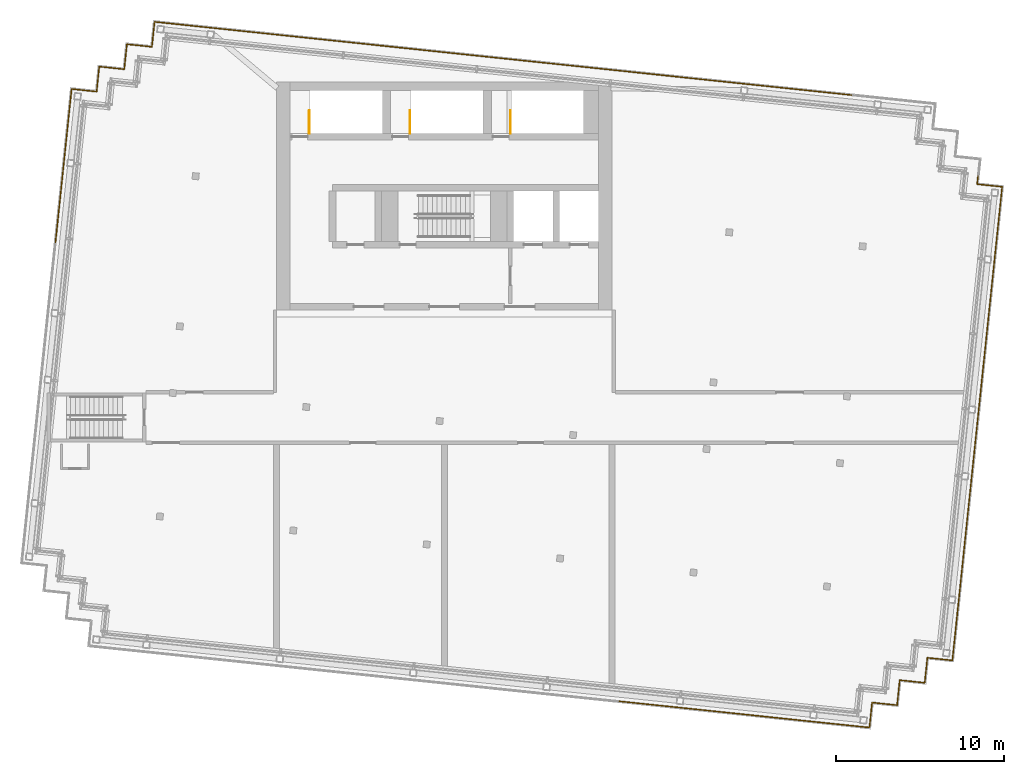
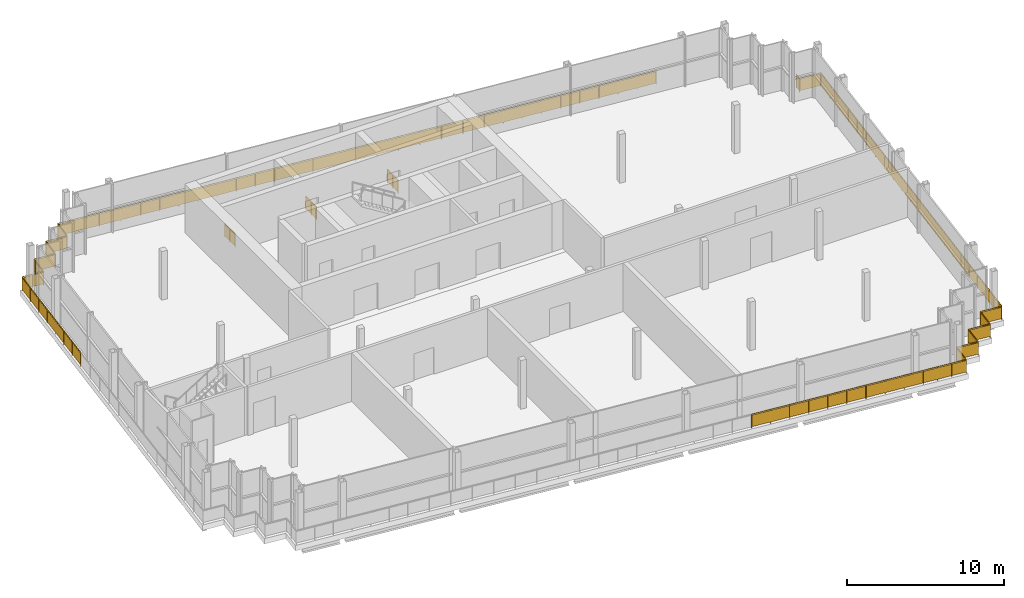
# One storey, part 12 of 13: 13 railings.
"""IFC4 building model written with IfcOpenShell, lengths in metres."""

from ifc_helpers import new_model, si_unit, direction, frame, origin, origin_2d, place, context, subcontext, project, spatial, rectangle, circle, extrude, material, type_object, element, save


model = new_model("IFC4")

# Units and contexts
model_context = context("Model", 3, precision=1e-05, world=origin(), true_north=direction((0.0, 1.0)))
body_context = subcontext(model_context, "Body", "Model", "MODEL_VIEW")
ifc_project = project(units=[si_unit("LENGTHUNIT", "METRE"), si_unit("AREAUNIT", "SQUARE_METRE"), si_unit("VOLUMEUNIT", "CUBIC_METRE"), si_unit("PLANEANGLEUNIT", "RADIAN"), si_unit("MASSUNIT", "GRAM", prefix="KILO")], contexts=[model_context])

# Site, building, storey
site_placement = place(None, origin())
site = spatial("IfcSite", under=ifc_project, at=site_placement, CompositionType="ELEMENT")
building_placement = place(site_placement, origin())
building = spatial("IfcBuilding", under=site, at=building_placement, Name="Vidyagriha Tower", CompositionType="ELEMENT")
storey_placement = place(building_placement, frame((0.0, 0.0, 309.199951171875)))
storey = spatial("IfcBuildingStorey", under=building, at=storey_placement, Name="L79", CompositionType="ELEMENT", Elevation=309.199951171875)

# Railings
ifc_material_1 = material(Name="Steel ASTM A500 Grade C black painted", Category="steel")
railing_type_1 = type_object("IfcRailingType", Name="Gallery guard 1100", PredefinedType="GUARDRAIL", material=ifc_material_1)
railing_1_placement = place(storey_placement, frame((30.297607421875, -14.485595703125, 0.0)))
element("IfcRailing", 1, at=railing_1_placement, inside=storey, type_object=railing_type_1, Name="Gallery guard L79 1", PredefinedType="GUARDRAIL", context=body_context, shape_type="SweptSolid", body=[
    extrude(circle(Radius=0.02490234375, at=origin_2d()), frame((0.0, 0.0, 1.0751953125), z_axis=(-0.994525057048, 0.104498377516, 0.0), x_axis=(-0.104498377516, -0.994525057048, 0.0)), (0.0, 0.0, 1.0), 1.5),
    extrude(circle(Radius=0.02490234375, at=origin_2d()), frame((-1.49169921875, 0.15673828125, 1.0751953125), z_axis=(-0.104498377516, -0.994525057048, 0.0), x_axis=(0.994525057048, -0.104498377516, 0.0)), (0.0, 0.0, 1.0), 1.5),
    extrude(circle(Radius=0.02490234375, at=origin_2d()), frame((-1.6484375, -1.3349609375, 1.0751953125), z_axis=(-0.994525057048, 0.104498377516, 0.0), x_axis=(-0.104498377516, -0.994525057048, 0.0)), (0.0, 0.0, 1.0), 1.5),
    extrude(circle(Radius=0.02490234375, at=origin_2d()), frame((-3.14013671875, -1.17822265625, 1.0751953125), z_axis=(-0.104659366031, -0.994508128223, 0.0), x_axis=(0.994508128223, -0.104659366031, 0.0)), (0.0, 0.0, 1.0), 1.5),
    extrude(circle(Radius=0.02490234375, at=origin_2d()), frame((-3.297119140625, -2.669921875, 1.0751953125), z_axis=(-0.994525057048, 0.104498377516, 0.0), x_axis=(-0.104498377516, -0.994525057048, 0.0)), (0.0, 0.0, 1.0), 1.5),
    extrude(circle(Radius=0.02490234375, at=origin_2d()), frame((-4.788818359375, -2.51318359375, 1.0751953125), z_axis=(-0.104498377516, -0.994525057048, 0.0), x_axis=(0.994525057048, -0.104498377516, 0.0)), (0.0, 0.0, 1.0), 1.5),
    extrude(circle(Radius=0.02490234375, at=origin_2d()), frame((-4.945556640625, -4.0048828125, 1.0751953125), z_axis=(-0.994525945657, 0.104489920156, 0.0), x_axis=(-0.104489920156, -0.994525945657, 0.0)), (0.0, 0.0, 1.0), 3.0),
    extrude(circle(Radius=0.02001953125, at=origin_2d()), origin(), (0.0, 0.0, 1.0), 1.050048828125),
    extrude(circle(Radius=0.02001953125, at=origin_2d()), frame((-1.49169921875, 0.15673828125, 0.0)), (0.0, 0.0, 1.0), 1.050048828125),
    extrude(circle(Radius=0.02001953125, at=origin_2d()), frame((-1.6484375, -1.3349609375, 0.0)), (0.0, 0.0, 1.0), 1.050048828125),
    extrude(circle(Radius=0.02001953125, at=origin_2d()), frame((-3.14013671875, -1.17822265625, 0.0)), (0.0, 0.0, 1.0), 1.050048828125),
    extrude(circle(Radius=0.02001953125, at=origin_2d()), frame((-3.297119140625, -2.669921875, 0.0)), (0.0, 0.0, 1.0), 1.050048828125),
    extrude(circle(Radius=0.02001953125, at=origin_2d()), frame((-4.788818359375, -2.51318359375, 0.0)), (0.0, 0.0, 1.0), 1.050048828125),
    extrude(circle(Radius=0.02001953125, at=origin_2d()), frame((-4.945556640625, -4.0048828125, 0.0)), (0.0, 0.0, 1.0), 1.050048828125),
    extrude(circle(Radius=0.02001953125, at=origin_2d()), frame((-5.940185546875, -3.900390625, 0.0)), (0.0, 0.0, 1.0), 1.050048828125),
    extrude(circle(Radius=0.02001953125, at=origin_2d()), frame((-6.9345703125, -3.7958984375, 0.0)), (0.0, 0.0, 1.0), 1.050048828125),
    extrude(circle(Radius=0.02001953125, at=origin_2d()), frame((-7.92919921875, -3.69140625, 0.0)), (0.0, 0.0, 1.0), 1.050048828125),
    extrude(rectangle(XDim=0.010009765625, YDim=0.900146484375, at=origin_2d()), frame((0.0, 0.0, 0.550048828125), z_axis=(-0.994525057048, 0.104498377516, 0.0), x_axis=(-0.104498377516, -0.994525057048, 0.0)), (0.0, 0.0, 1.0), 1.5),
    extrude(rectangle(XDim=0.010009765625, YDim=0.900146484375, at=origin_2d()), frame((-1.49169921875, 0.15673828125, 0.550048828125), z_axis=(-0.104498377516, -0.994525057048, 0.0), x_axis=(0.994525057048, -0.104498377516, 0.0)), (0.0, 0.0, 1.0), 1.5),
    extrude(rectangle(XDim=0.010009765625, YDim=0.900146484375, at=origin_2d()), frame((-1.6484375, -1.3349609375, 0.550048828125), z_axis=(-0.994525057048, 0.104498377516, 0.0), x_axis=(-0.104498377516, -0.994525057048, 0.0)), (0.0, 0.0, 1.0), 1.5),
    extrude(rectangle(XDim=0.010009765625, YDim=0.900146484375, at=origin_2d()), frame((-3.14013671875, -1.17822265625, 0.550048828125), z_axis=(-0.104659366031, -0.994508128223, 0.0), x_axis=(0.994508128223, -0.104659366031, 0.0)), (0.0, 0.0, 1.0), 1.5),
    extrude(rectangle(XDim=0.010009765625, YDim=0.900146484375, at=origin_2d()), frame((-3.297119140625, -2.669921875, 0.550048828125), z_axis=(-0.994525057048, 0.104498377516, 0.0), x_axis=(-0.104498377516, -0.994525057048, 0.0)), (0.0, 0.0, 1.0), 1.5),
    extrude(rectangle(XDim=0.010009765625, YDim=0.900146484375, at=origin_2d()), frame((-4.788818359375, -2.51318359375, 0.550048828125), z_axis=(-0.104498377516, -0.994525057048, 0.0), x_axis=(0.994525057048, -0.104498377516, 0.0)), (0.0, 0.0, 1.0), 1.5),
    extrude(rectangle(XDim=0.010009765625, YDim=0.900146484375, at=origin_2d()), frame((-4.945556640625, -4.0048828125, 0.550048828125), z_axis=(-0.994525945657, 0.104489920156, 0.0), x_axis=(-0.104489920156, -0.994525945657, 0.0)), (0.0, 0.0, 1.0), 3.0),
])
railing_2_placement = place(storey_placement, frame((22.368408203125, -18.177001953125, 0.0)))
element("IfcRailing", 2, at=railing_2_placement, inside=storey, type_object=railing_type_1, Name="Gallery guard L79 2", PredefinedType="GUARDRAIL", context=body_context, shape_type="SweptSolid", body=[
    extrude(circle(Radius=0.02490234375, at=origin_2d()), frame((0.0, 0.0, 1.0751953125), z_axis=(-0.994521494219, 0.104532279878, 0.0), x_axis=(-0.104532279878, -0.994521494219, 0.0)), (0.0, 0.0, 1.0), 12.0),
    extrude(circle(Radius=0.02001953125, at=origin_2d()), origin(), (0.0, 0.0, 1.0), 1.050048828125),
    extrude(circle(Radius=0.02001953125, at=origin_2d()), frame((-1.325927734375, 0.139404296875, 0.0)), (0.0, 0.0, 1.0), 1.050048828125),
    extrude(circle(Radius=0.02001953125, at=origin_2d()), frame((-2.652099609375, 0.27880859375, 0.0)), (0.0, 0.0, 1.0), 1.050048828125),
    extrude(circle(Radius=0.02001953125, at=origin_2d()), frame((-3.97802734375, 0.418212890625, 0.0)), (0.0, 0.0, 1.0), 1.050048828125),
    extrude(circle(Radius=0.02001953125, at=origin_2d()), frame((-5.30419921875, 0.5576171875, 0.0)), (0.0, 0.0, 1.0), 1.050048828125),
    extrude(circle(Radius=0.02001953125, at=origin_2d()), frame((-6.630126953125, 0.69677734375, 0.0)), (0.0, 0.0, 1.0), 1.050048828125),
    extrude(circle(Radius=0.02001953125, at=origin_2d()), frame((-7.956298828125, 0.836181640625, 0.0)), (0.0, 0.0, 1.0), 1.050048828125),
    extrude(circle(Radius=0.02001953125, at=origin_2d()), frame((-9.2822265625, 0.9755859375, 0.0)), (0.0, 0.0, 1.0), 1.050048828125),
    extrude(circle(Radius=0.02001953125, at=origin_2d()), frame((-10.6083984375, 1.114990234375, 0.0)), (0.0, 0.0, 1.0), 1.050048828125),
    extrude(circle(Radius=0.02001953125, at=origin_2d()), frame((-11.934326171875, 1.25439453125, 0.0)), (0.0, 0.0, 1.0), 1.050048828125),
    extrude(rectangle(XDim=0.010009765625, YDim=0.900146484375, at=origin_2d()), frame((0.0, 0.0, 0.550048828125), z_axis=(-0.994521494219, 0.104532279878, 0.0), x_axis=(-0.104532279878, -0.994521494219, 0.0)), (0.0, 0.0, 1.0), 12.0),
])
railing_3_placement = place(storey_placement, frame((-23.189697265625, 10.44189453125, 0.0)))
element("IfcRailing", 3, at=railing_3_placement, inside=storey, type_object=railing_type_1, Name="Gallery guard L79 8", PredefinedType="GUARDRAIL", context=body_context, shape_type="SweptSolid", body=[
    extrude(circle(Radius=0.02490234375, at=origin_2d()), frame((0.0, 0.0, 1.0751953125), z_axis=(0.104528688334, 0.994521871713, 0.0), x_axis=(-0.994521871713, 0.104528688334, 0.0)), (0.0, 0.0, 1.0), 9.199951171875),
    extrude(circle(Radius=0.02490234375, at=origin_2d()), frame((0.961669921875, 9.149658203125, 1.0751953125), z_axis=(0.994526834051, -0.104481464157, 0.0), x_axis=(0.104481464157, 0.994526834051, 0.0)), (0.0, 0.0, 1.0), 1.500244140625),
    extrude(circle(Radius=0.02490234375, at=origin_2d()), frame((2.45361328125, 8.992919921875, 1.0751953125), z_axis=(0.104411070641, 0.994534226826, 0.0), x_axis=(-0.994534226826, 0.104411070641, 0.0)), (0.0, 0.0, 1.0), 1.300048828125),
    extrude(circle(Radius=0.02001953125, at=origin_2d()), origin(), (0.0, 0.0, 1.0), 1.050048828125),
    extrude(circle(Radius=0.02001953125, at=origin_2d()), frame((0.137451171875, 1.30712890625, 0.0)), (0.0, 0.0, 1.0), 1.050048828125),
    extrude(circle(Radius=0.02001953125, at=origin_2d()), frame((0.274658203125, 2.6142578125, 0.0)), (0.0, 0.0, 1.0), 1.050048828125),
    extrude(circle(Radius=0.02001953125, at=origin_2d()), frame((0.412109375, 3.92138671875, 0.0)), (0.0, 0.0, 1.0), 1.050048828125),
    extrude(circle(Radius=0.02001953125, at=origin_2d()), frame((0.549560546875, 5.228271484375, 0.0)), (0.0, 0.0, 1.0), 1.050048828125),
    extrude(circle(Radius=0.02001953125, at=origin_2d()), frame((0.68701171875, 6.535400390625, 0.0)), (0.0, 0.0, 1.0), 1.050048828125),
    extrude(circle(Radius=0.02001953125, at=origin_2d()), frame((0.82421875, 7.842529296875, 0.0)), (0.0, 0.0, 1.0), 1.050048828125),
    extrude(circle(Radius=0.02001953125, at=origin_2d()), frame((0.961669921875, 9.149658203125, 0.0)), (0.0, 0.0, 1.0), 1.050048828125),
    extrude(circle(Radius=0.02001953125, at=origin_2d()), frame((1.70751953125, 9.0712890625, 0.0)), (0.0, 0.0, 1.0), 1.050048828125),
    extrude(circle(Radius=0.02001953125, at=origin_2d()), frame((2.45361328125, 8.992919921875, 0.0)), (0.0, 0.0, 1.0), 1.050048828125),
    extrude(circle(Radius=0.02001953125, at=origin_2d()), frame((2.58935546875, 10.285888671875, 0.0)), (0.0, 0.0, 1.0), 1.050048828125),
    extrude(rectangle(XDim=0.010009765625, YDim=0.900146484375, at=origin_2d()), frame((0.0, 0.0, 0.550048828125), z_axis=(0.104528688334, 0.994521871713, 0.0), x_axis=(-0.994521871713, 0.104528688334, 0.0)), (0.0, 0.0, 1.0), 9.199951171875),
    extrude(rectangle(XDim=0.010009765625, YDim=0.900146484375, at=origin_2d()), frame((0.961669921875, 9.149658203125, 0.550048828125), z_axis=(0.994526834051, -0.104481464157, 0.0), x_axis=(0.104481464157, 0.994526834051, 0.0)), (0.0, 0.0, 1.0), 1.500244140625),
    extrude(rectangle(XDim=0.010009765625, YDim=0.900146484375, at=origin_2d()), frame((2.45361328125, 8.992919921875, 0.550048828125), z_axis=(0.104411070641, 0.994534226826, 0.0), x_axis=(-0.994534226826, 0.104411070641, 0.0)), (0.0, 0.0, 1.0), 1.300048828125),
])
railing_4_placement = place(storey_placement, frame((-20.600341796875, 20.727783203125, 0.0)))
element("IfcRailing", 4, at=railing_4_placement, inside=storey, type_object=railing_type_1, Name="Gallery guard L79 9", PredefinedType="GUARDRAIL", context=body_context, shape_type="SweptSolid", body=[
    extrude(circle(Radius=0.02490234375, at=origin_2d()), frame((0.0, 0.0, 1.0751953125), z_axis=(0.10506634941, 0.994465214184, 0.0), x_axis=(-0.994465214184, 0.10506634941, 0.0)), (0.0, 0.0, 1.0), 0.199951171875),
    extrude(circle(Radius=0.02490234375, at=origin_2d()), frame((0.02099609375, 0.19873046875, 1.0751953125), z_axis=(0.994525057048, -0.104498377516, 0.0), x_axis=(0.104498377516, 0.994525057048, 0.0)), (0.0, 0.0, 1.0), 1.5),
    extrude(circle(Radius=0.02490234375, at=origin_2d()), frame((1.5126953125, 0.0419921875, 1.0751953125), z_axis=(0.104498377516, 0.994525057048, 0.0), x_axis=(-0.994525057048, 0.104498377516, 0.0)), (0.0, 0.0, 1.0), 1.5),
    extrude(circle(Radius=0.02490234375, at=origin_2d()), frame((1.66943359375, 1.53369140625, 1.0751953125), z_axis=(0.994525057048, -0.104498377516, 0.0), x_axis=(0.104498377516, 0.994525057048, 0.0)), (0.0, 0.0, 1.0), 1.5),
    extrude(circle(Radius=0.02490234375, at=origin_2d()), frame((3.1611328125, 1.376953125, 1.0751953125), z_axis=(0.104659366031, 0.994508128223, 0.0), x_axis=(-0.994508128223, 0.104659366031, 0.0)), (0.0, 0.0, 1.0), 1.5),
    extrude(circle(Radius=0.02490234375, at=origin_2d()), frame((3.318115234375, 2.86865234375, 1.0751953125), z_axis=(0.994523198252, -0.104516066418, 0.0), x_axis=(0.104516066418, 0.994523198252, 0.0)), (0.0, 0.0, 1.0), 5.800048828125),
    extrude(circle(Radius=0.02001953125, at=origin_2d()), origin(), (0.0, 0.0, 1.0), 1.050048828125),
    extrude(circle(Radius=0.02001953125, at=origin_2d()), frame((0.02099609375, 0.19873046875, 0.0)), (0.0, 0.0, 1.0), 1.050048828125),
    extrude(circle(Radius=0.02001953125, at=origin_2d()), frame((1.5126953125, 0.0419921875, 0.0)), (0.0, 0.0, 1.0), 1.050048828125),
    extrude(circle(Radius=0.02001953125, at=origin_2d()), frame((1.66943359375, 1.53369140625, 0.0)), (0.0, 0.0, 1.0), 1.050048828125),
    extrude(circle(Radius=0.02001953125, at=origin_2d()), frame((3.1611328125, 1.376953125, 0.0)), (0.0, 0.0, 1.0), 1.050048828125),
    extrude(circle(Radius=0.02001953125, at=origin_2d()), frame((3.318115234375, 2.86865234375, 0.0)), (0.0, 0.0, 1.0), 1.050048828125),
    extrude(circle(Radius=0.02001953125, at=origin_2d()), frame((4.76025390625, 2.717041015625, 0.0)), (0.0, 0.0, 1.0), 1.050048828125),
    extrude(circle(Radius=0.02001953125, at=origin_2d()), frame((6.2021484375, 2.5654296875, 0.0)), (0.0, 0.0, 1.0), 1.050048828125),
    extrude(circle(Radius=0.02001953125, at=origin_2d()), frame((7.644287109375, 2.4140625, 0.0)), (0.0, 0.0, 1.0), 1.050048828125),
    extrude(circle(Radius=0.02001953125, at=origin_2d()), frame((9.08642578125, 2.262451171875, 0.0)), (0.0, 0.0, 1.0), 1.050048828125),
    extrude(rectangle(XDim=0.010009765625, YDim=0.900146484375, at=origin_2d()), frame((0.0, 0.0, 0.550048828125), z_axis=(0.10506634941, 0.994465214184, 0.0), x_axis=(-0.994465214184, 0.10506634941, 0.0)), (0.0, 0.0, 1.0), 0.199951171875),
    extrude(rectangle(XDim=0.010009765625, YDim=0.900146484375, at=origin_2d()), frame((0.02099609375, 0.19873046875, 0.550048828125), z_axis=(0.994525057048, -0.104498377516, 0.0), x_axis=(0.104498377516, 0.994525057048, 0.0)), (0.0, 0.0, 1.0), 1.5),
    extrude(rectangle(XDim=0.010009765625, YDim=0.900146484375, at=origin_2d()), frame((1.5126953125, 0.0419921875, 0.550048828125), z_axis=(0.104498377516, 0.994525057048, 0.0), x_axis=(-0.994525057048, 0.104498377516, 0.0)), (0.0, 0.0, 1.0), 1.5),
    extrude(rectangle(XDim=0.010009765625, YDim=0.900146484375, at=origin_2d()), frame((1.66943359375, 1.53369140625, 0.550048828125), z_axis=(0.994525057048, -0.104498377516, 0.0), x_axis=(0.104498377516, 0.994525057048, 0.0)), (0.0, 0.0, 1.0), 1.5),
    extrude(rectangle(XDim=0.010009765625, YDim=0.900146484375, at=origin_2d()), frame((3.1611328125, 1.376953125, 0.550048828125), z_axis=(0.104659366031, 0.994508128223, 0.0), x_axis=(-0.994508128223, 0.104659366031, 0.0)), (0.0, 0.0, 1.0), 1.5),
    extrude(rectangle(XDim=0.010009765625, YDim=0.900146484375, at=origin_2d()), frame((3.318115234375, 2.86865234375, 0.550048828125), z_axis=(0.994523198252, -0.104516066418, 0.0), x_axis=(0.104516066418, 0.994523198252, 0.0)), (0.0, 0.0, 1.0), 5.800048828125),
])
railing_5_placement = place(storey_placement, frame((-11.513916015625, 22.990234375, 0.0)))
element("IfcRailing", 5, at=railing_5_placement, inside=storey, type_object=railing_type_1, Name="Gallery guard L79 10", PredefinedType="GUARDRAIL", context=body_context, shape_type="SweptSolid", body=[
    extrude(circle(Radius=0.02490234375, at=origin_2d()), frame((0.0, 0.0, 1.0751953125), z_axis=(0.994521494219, -0.104532279878, 0.0), x_axis=(0.104532279878, 0.994521494219, 0.0)), (0.0, 0.0, 1.0), 12.0),
    extrude(circle(Radius=0.02001953125, at=origin_2d()), origin(), (0.0, 0.0, 1.0), 1.050048828125),
    extrude(circle(Radius=0.02001953125, at=origin_2d()), frame((1.325927734375, -0.139404296875, 0.0)), (0.0, 0.0, 1.0), 1.050048828125),
    extrude(circle(Radius=0.02001953125, at=origin_2d()), frame((2.652099609375, -0.27880859375, 0.0)), (0.0, 0.0, 1.0), 1.050048828125),
    extrude(circle(Radius=0.02001953125, at=origin_2d()), frame((3.97802734375, -0.418212890625, 0.0)), (0.0, 0.0, 1.0), 1.050048828125),
    extrude(circle(Radius=0.02001953125, at=origin_2d()), frame((5.30419921875, -0.5576171875, 0.0)), (0.0, 0.0, 1.0), 1.050048828125),
    extrude(circle(Radius=0.02001953125, at=origin_2d()), frame((6.630126953125, -0.69677734375, 0.0)), (0.0, 0.0, 1.0), 1.050048828125),
    extrude(circle(Radius=0.02001953125, at=origin_2d()), frame((7.956298828125, -0.836181640625, 0.0)), (0.0, 0.0, 1.0), 1.050048828125),
    extrude(circle(Radius=0.02001953125, at=origin_2d()), frame((9.2822265625, -0.9755859375, 0.0)), (0.0, 0.0, 1.0), 1.050048828125),
    extrude(circle(Radius=0.02001953125, at=origin_2d()), frame((10.6083984375, -1.114990234375, 0.0)), (0.0, 0.0, 1.0), 1.050048828125),
    extrude(circle(Radius=0.02001953125, at=origin_2d()), frame((11.934326171875, -1.25439453125, 0.0)), (0.0, 0.0, 1.0), 1.050048828125),
    extrude(rectangle(XDim=0.010009765625, YDim=0.900146484375, at=origin_2d()), frame((0.0, 0.0, 0.550048828125), z_axis=(0.994521494219, -0.104532279878, 0.0), x_axis=(0.104532279878, 0.994521494219, 0.0)), (0.0, 0.0, 1.0), 12.0),
])
railing_6_placement = place(storey_placement, frame((0.42041015625, 21.73583984375, 0.0)))
element("IfcRailing", 6, at=railing_6_placement, inside=storey, type_object=railing_type_1, Name="Gallery guard L79 11", PredefinedType="GUARDRAIL", context=body_context, shape_type="SweptSolid", body=[
    extrude(circle(Radius=0.02490234375, at=origin_2d()), frame((0.0, 0.0, 1.0751953125), z_axis=(0.994523386841, -0.104514271883, 0.0), x_axis=(0.104514271883, 0.994523386841, 0.0)), (0.0, 0.0, 1.0), 11.999755859375),
    extrude(circle(Radius=0.02001953125, at=origin_2d()), origin(), (0.0, 0.0, 1.0), 1.050048828125),
    extrude(circle(Radius=0.02001953125, at=origin_2d()), frame((1.49169921875, -0.15673828125, 0.0)), (0.0, 0.0, 1.0), 1.050048828125),
    extrude(circle(Radius=0.02001953125, at=origin_2d()), frame((2.9833984375, -0.3134765625, 0.0)), (0.0, 0.0, 1.0), 1.050048828125),
    extrude(circle(Radius=0.02001953125, at=origin_2d()), frame((4.475341796875, -0.47021484375, 0.0)), (0.0, 0.0, 1.0), 1.050048828125),
    extrude(circle(Radius=0.02001953125, at=origin_2d()), frame((5.967041015625, -0.626953125, 0.0)), (0.0, 0.0, 1.0), 1.050048828125),
    extrude(circle(Radius=0.02001953125, at=origin_2d()), frame((7.458740234375, -0.783935546875, 0.0)), (0.0, 0.0, 1.0), 1.050048828125),
    extrude(circle(Radius=0.02001953125, at=origin_2d()), frame((8.95068359375, -0.940673828125, 0.0)), (0.0, 0.0, 1.0), 1.050048828125),
    extrude(circle(Radius=0.02001953125, at=origin_2d()), frame((10.4423828125, -1.097412109375, 0.0)), (0.0, 0.0, 1.0), 1.050048828125),
    extrude(circle(Radius=0.02001953125, at=origin_2d()), frame((11.93408203125, -1.254150390625, 0.0)), (0.0, 0.0, 1.0), 1.050048828125),
    extrude(rectangle(XDim=0.010009765625, YDim=0.900146484375, at=origin_2d()), frame((0.0, 0.0, 0.550048828125), z_axis=(0.994523386841, -0.104514271883, 0.0), x_axis=(0.104514271883, 0.994523386841, 0.0)), (0.0, 0.0, 1.0), 11.999755859375),
])
railing_7_placement = place(storey_placement, frame((12.3544921875, 20.481689453125, 0.0)))
element("IfcRailing", 7, at=railing_7_placement, inside=storey, type_object=railing_type_1, Name="Gallery guard L79 12", PredefinedType="GUARDRAIL", context=body_context, shape_type="SweptSolid", body=[
    extrude(circle(Radius=0.02490234375, at=origin_2d()), frame((0.0, 0.0, 1.0751953125), z_axis=(0.994521494219, -0.104532279878, 0.0), x_axis=(0.104532279878, 0.994521494219, 0.0)), (0.0, 0.0, 1.0), 12.0),
    extrude(circle(Radius=0.02001953125, at=origin_2d()), origin(), (0.0, 0.0, 1.0), 1.050048828125),
    extrude(circle(Radius=0.02001953125, at=origin_2d()), frame((1.325927734375, -0.139404296875, 0.0)), (0.0, 0.0, 1.0), 1.050048828125),
    extrude(circle(Radius=0.02001953125, at=origin_2d()), frame((2.652099609375, -0.27880859375, 0.0)), (0.0, 0.0, 1.0), 1.050048828125),
    extrude(circle(Radius=0.02001953125, at=origin_2d()), frame((3.97802734375, -0.418212890625, 0.0)), (0.0, 0.0, 1.0), 1.050048828125),
    extrude(circle(Radius=0.02001953125, at=origin_2d()), frame((5.30419921875, -0.5576171875, 0.0)), (0.0, 0.0, 1.0), 1.050048828125),
    extrude(circle(Radius=0.02001953125, at=origin_2d()), frame((6.630126953125, -0.69677734375, 0.0)), (0.0, 0.0, 1.0), 1.050048828125),
    extrude(circle(Radius=0.02001953125, at=origin_2d()), frame((7.956298828125, -0.836181640625, 0.0)), (0.0, 0.0, 1.0), 1.050048828125),
    extrude(circle(Radius=0.02001953125, at=origin_2d()), frame((9.2822265625, -0.9755859375, 0.0)), (0.0, 0.0, 1.0), 1.050048828125),
    extrude(circle(Radius=0.02001953125, at=origin_2d()), frame((10.6083984375, -1.114990234375, 0.0)), (0.0, 0.0, 1.0), 1.050048828125),
    extrude(circle(Radius=0.02001953125, at=origin_2d()), frame((11.934326171875, -1.25439453125, 0.0)), (0.0, 0.0, 1.0), 1.050048828125),
    extrude(rectangle(XDim=0.010009765625, YDim=0.900146484375, at=origin_2d()), frame((0.0, 0.0, 0.550048828125), z_axis=(0.994521494219, -0.104532279878, 0.0), x_axis=(0.104532279878, 0.994521494219, 0.0)), (0.0, 0.0, 1.0), 12.0),
])
railing_8_placement = place(storey_placement, frame((31.826904296875, 14.412841796875, 0.0)))
element("IfcRailing", 8, at=railing_8_placement, inside=storey, type_object=railing_type_1, Name="Gallery guard L79 14", PredefinedType="GUARDRAIL", context=body_context, shape_type="SweptSolid", body=[
    extrude(circle(Radius=0.02490234375, at=origin_2d()), frame((0.0, 0.0, 1.0751953125), z_axis=(-0.104481464157, -0.994526834051, 0.0), x_axis=(0.994526834051, -0.104481464157, 0.0)), (0.0, 0.0, 1.0), 0.5),
    extrude(circle(Radius=0.02490234375, at=origin_2d()), frame((-0.05224609375, -0.497314453125, 1.0751953125), z_axis=(0.994525057048, -0.104498377516, 0.0), x_axis=(0.104498377516, 0.994525057048, 0.0)), (0.0, 0.0, 1.0), 1.5),
    extrude(circle(Radius=0.02490234375, at=origin_2d()), frame((1.439453125, -0.654052734375, 1.0751953125), z_axis=(-0.104539905878, -0.994520692635, 0.0), x_axis=(0.994520692635, -0.104539905878, 0.0)), (0.0, 0.0, 1.0), 10.0),
    extrude(circle(Radius=0.02001953125, at=origin_2d()), origin(), (0.0, 0.0, 1.0), 1.050048828125),
    extrude(circle(Radius=0.02001953125, at=origin_2d()), frame((-0.05224609375, -0.497314453125, 0.0)), (0.0, 0.0, 1.0), 1.050048828125),
    extrude(circle(Radius=0.02001953125, at=origin_2d()), frame((1.439453125, -0.654052734375, 0.0)), (0.0, 0.0, 1.0), 1.050048828125),
    extrude(circle(Radius=0.02001953125, at=origin_2d()), frame((1.2900390625, -2.07470703125, 0.0)), (0.0, 0.0, 1.0), 1.050048828125),
    extrude(circle(Radius=0.02001953125, at=origin_2d()), frame((1.140869140625, -3.49560546875, 0.0)), (0.0, 0.0, 1.0), 1.050048828125),
    extrude(circle(Radius=0.02001953125, at=origin_2d()), frame((0.991455078125, -4.916259765625, 0.0)), (0.0, 0.0, 1.0), 1.050048828125),
    extrude(circle(Radius=0.02001953125, at=origin_2d()), frame((0.842041015625, -6.337158203125, 0.0)), (0.0, 0.0, 1.0), 1.050048828125),
    extrude(circle(Radius=0.02001953125, at=origin_2d()), frame((0.692626953125, -7.7578125, 0.0)), (0.0, 0.0, 1.0), 1.050048828125),
    extrude(circle(Radius=0.02001953125, at=origin_2d()), frame((0.54345703125, -9.1787109375, 0.0)), (0.0, 0.0, 1.0), 1.050048828125),
    extrude(circle(Radius=0.02001953125, at=origin_2d()), frame((0.39404296875, -10.599365234375, 0.0)), (0.0, 0.0, 1.0), 1.050048828125),
    extrude(rectangle(XDim=0.010009765625, YDim=0.900146484375, at=origin_2d()), frame((0.0, 0.0, 0.550048828125), z_axis=(-0.104481464157, -0.994526834051, 0.0), x_axis=(0.994526834051, -0.104481464157, 0.0)), (0.0, 0.0, 1.0), 0.5),
    extrude(rectangle(XDim=0.010009765625, YDim=0.900146484375, at=origin_2d()), frame((-0.05224609375, -0.497314453125, 0.550048828125), z_axis=(0.994525057048, -0.104498377516, 0.0), x_axis=(0.104498377516, 0.994525057048, 0.0)), (0.0, 0.0, 1.0), 1.5),
    extrude(rectangle(XDim=0.010009765625, YDim=0.900146484375, at=origin_2d()), frame((1.439453125, -0.654052734375, 0.550048828125), z_axis=(-0.104539905878, -0.994520692635, 0.0), x_axis=(0.994520692635, -0.104539905878, 0.0)), (0.0, 0.0, 1.0), 10.0),
])
railing_9_placement = place(storey_placement, frame((32.220947265625, 3.8134765625, 0.0)))
element("IfcRailing", 9, at=railing_9_placement, inside=storey, type_object=railing_type_1, Name="Gallery guard L79 15", PredefinedType="GUARDRAIL", context=body_context, shape_type="SweptSolid", body=[
    extrude(circle(Radius=0.02490234375, at=origin_2d()), frame((0.0, 0.0, 1.0751953125), z_axis=(-0.104512157188, -0.994523609071, 0.0), x_axis=(0.994523609071, -0.104512157188, 0.0)), (0.0, 0.0, 1.0), 12.0),
    extrude(circle(Radius=0.02001953125, at=origin_2d()), origin(), (0.0, 0.0, 1.0), 1.050048828125),
    extrude(circle(Radius=0.02001953125, at=origin_2d()), frame((-0.139404296875, -1.325927734375, 0.0)), (0.0, 0.0, 1.0), 1.050048828125),
    extrude(circle(Radius=0.02001953125, at=origin_2d()), frame((-0.27880859375, -2.652099609375, 0.0)), (0.0, 0.0, 1.0), 1.050048828125),
    extrude(circle(Radius=0.02001953125, at=origin_2d()), frame((-0.41796875, -3.97802734375, 0.0)), (0.0, 0.0, 1.0), 1.050048828125),
    extrude(circle(Radius=0.02001953125, at=origin_2d()), frame((-0.557373046875, -5.30419921875, 0.0)), (0.0, 0.0, 1.0), 1.050048828125),
    extrude(circle(Radius=0.02001953125, at=origin_2d()), frame((-0.69677734375, -6.630126953125, 0.0)), (0.0, 0.0, 1.0), 1.050048828125),
    extrude(circle(Radius=0.02001953125, at=origin_2d()), frame((-0.836181640625, -7.956298828125, 0.0)), (0.0, 0.0, 1.0), 1.050048828125),
    extrude(circle(Radius=0.02001953125, at=origin_2d()), frame((-0.975341796875, -9.2822265625, 0.0)), (0.0, 0.0, 1.0), 1.050048828125),
    extrude(circle(Radius=0.02001953125, at=origin_2d()), frame((-1.11474609375, -10.6083984375, 0.0)), (0.0, 0.0, 1.0), 1.050048828125),
    extrude(circle(Radius=0.02001953125, at=origin_2d()), frame((-1.254150390625, -11.934326171875, 0.0)), (0.0, 0.0, 1.0), 1.050048828125),
    extrude(rectangle(XDim=0.010009765625, YDim=0.900146484375, at=origin_2d()), frame((0.0, 0.0, 0.550048828125), z_axis=(-0.104512157188, -0.994523609071, 0.0), x_axis=(0.994523609071, -0.104512157188, 0.0)), (0.0, 0.0, 1.0), 12.0),
])
railing_10_placement = place(storey_placement, frame((30.966796875, -8.120849609375, 0.0)))
element("IfcRailing", 10, at=railing_10_placement, inside=storey, type_object=railing_type_1, Name="Gallery guard L79 16", PredefinedType="GUARDRAIL", context=body_context, shape_type="SweptSolid", body=[
    extrude(circle(Radius=0.02490234375, at=origin_2d()), frame((0.0, 0.0, 1.0751953125), z_axis=(-0.104563650797, -0.994518196381, 0.0), x_axis=(0.994518196381, -0.104563650797, 0.0)), (0.0, 0.0, 1.0), 6.39990234375),
    extrude(circle(Radius=0.02001953125, at=origin_2d()), origin(), (0.0, 0.0, 1.0), 1.050048828125),
    extrude(circle(Radius=0.02001953125, at=origin_2d()), frame((-0.1337890625, -1.27294921875, 0.0)), (0.0, 0.0, 1.0), 1.050048828125),
    extrude(circle(Radius=0.02001953125, at=origin_2d()), frame((-0.267578125, -2.5458984375, 0.0)), (0.0, 0.0, 1.0), 1.050048828125),
    extrude(circle(Radius=0.02001953125, at=origin_2d()), frame((-0.401611328125, -3.81884765625, 0.0)), (0.0, 0.0, 1.0), 1.050048828125),
    extrude(circle(Radius=0.02001953125, at=origin_2d()), frame((-0.535400390625, -5.091796875, 0.0)), (0.0, 0.0, 1.0), 1.050048828125),
    extrude(circle(Radius=0.02001953125, at=origin_2d()), frame((-0.669189453125, -6.36474609375, 0.0)), (0.0, 0.0, 1.0), 1.050048828125),
    extrude(rectangle(XDim=0.010009765625, YDim=0.900146484375, at=origin_2d()), frame((0.0, 0.0, 0.550048828125), z_axis=(-0.104563650797, -0.994518196381, 0.0), x_axis=(0.994518196381, -0.104563650797, 0.0)), (0.0, 0.0, 1.0), 6.39990234375),
])
ifc_material_2 = material(Name="Steel ASTM A500 Grade C", Category="steel")
railing_type_2 = type_object("IfcRailingType", Name="Stair guard 1100 mm, steel balustrade", PredefinedType="GUARDRAIL", material=ifc_material_2)
for number, where, name in (
    (11, (-8.050048828125, 16.949951171875, 0.0), "L79 ST1 top well guard 1"),
    (12, (-2.050048828125, 16.949951171875, 0.0), "L79 ST2 top well guard 1"),
    (13, (3.949951171875, 16.949951171875, 0.0), "L79 ST3 top well guard 1"),
):
    element("IfcRailing", number, at=place(storey_placement, frame(where)), inside=storey, type_object=railing_type_2, Name=name, PredefinedType="GUARDRAIL", context=body_context, shape_type="SweptSolid", body=[
        extrude(circle(Radius=0.02392578125, at=origin_2d()), frame((0.0, 0.0, 1.076171875), z_axis=(0.0, 1.0, 0.0), x_axis=(-1.0, 0.0, 0.0)), (0.0, 0.0, 1.0), 1.35009765625),
        extrude(circle(Radius=0.02099609375, at=origin_2d()), origin(), (0.0, 0.0, 1.0), 1.052001953125),
        extrude(circle(Radius=0.02099609375, at=origin_2d()), frame((0.0, 0.675048828125, 0.0)), (0.0, 0.0, 1.0), 1.052001953125),
        extrude(circle(Radius=0.02099609375, at=origin_2d()), frame((0.0, 1.35009765625, 0.0)), (0.0, 0.0, 1.0), 1.052001953125),
        extrude(rectangle(XDim=0.010009765625, YDim=0.902099609375, at=origin_2d()), frame((0.0, 0.0, 0.551025390625), z_axis=(0.0, 1.0, 0.0), x_axis=(-1.0, 0.0, 0.0)), (0.0, 0.0, 1.0), 1.35009765625),
    ])

save(model, "model.ifc")
